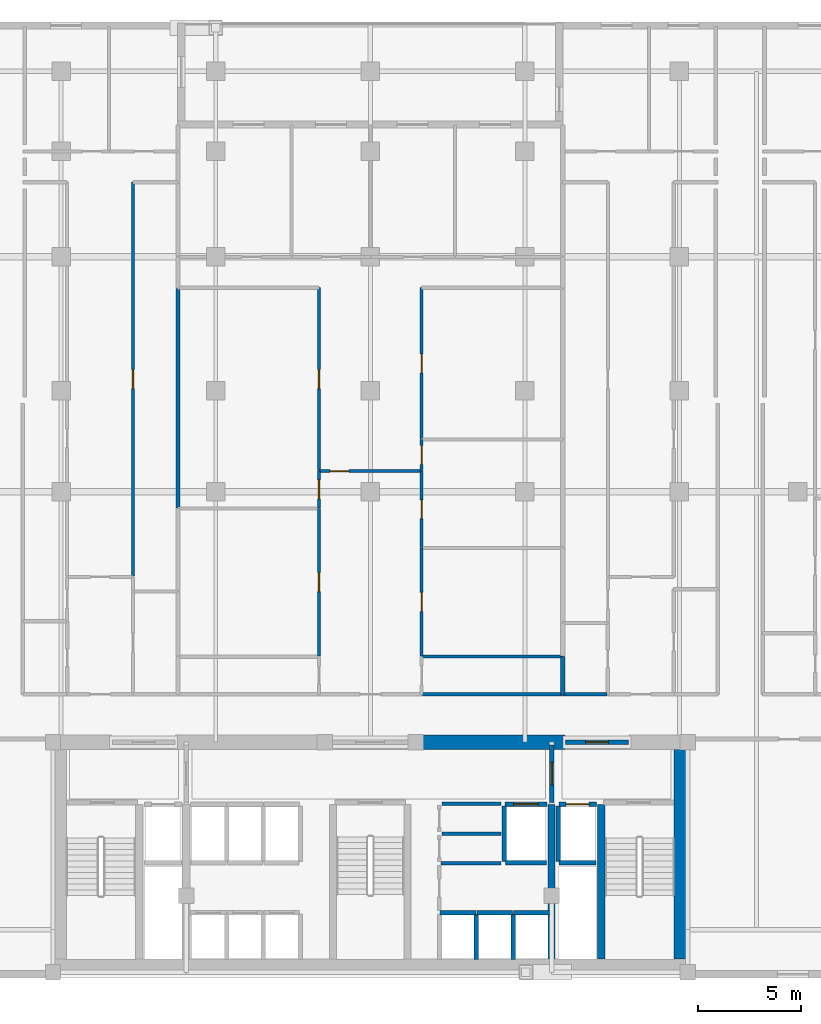
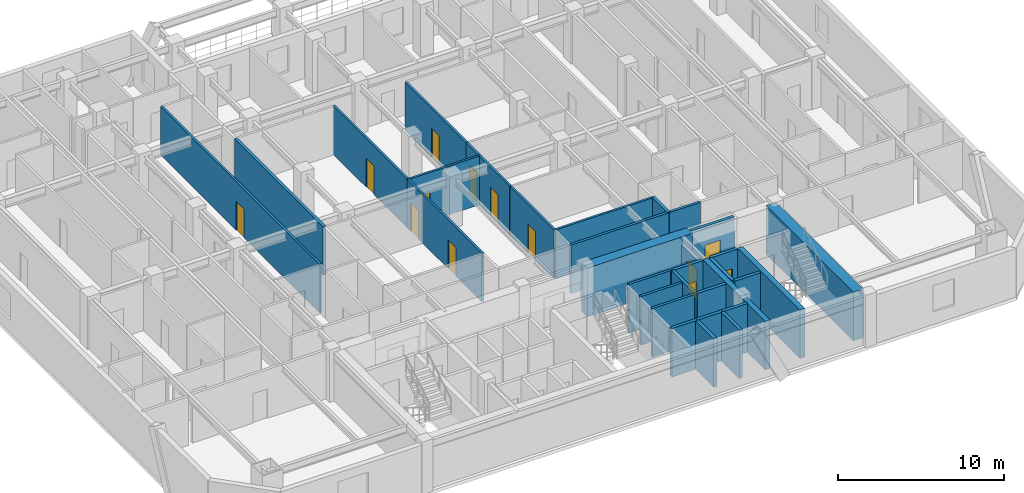
# One storey, part 5 of 10: 34 walls, 13 doors, 13 openings.
"""IFC4 building model written with IfcOpenShell, lengths in metres."""

from ifc_helpers import new_model, si_unit, direction, frame, frame_2d, origin, place, context, subcontext, project, spatial, rectangle, extrude, material, layer, layer_set, type_object, element, fill, save


model = new_model("IFC4")

# Units and contexts
model_context = context("Model", 3, precision=1e-05, world=origin(), true_north=direction((0.0, 1.0)))
body_context = subcontext(model_context, "Body", "Model", "MODEL_VIEW")
ifc_project = project(units=[si_unit("LENGTHUNIT", "METRE"), si_unit("AREAUNIT", "SQUARE_METRE"), si_unit("VOLUMEUNIT", "CUBIC_METRE"), si_unit("PLANEANGLEUNIT", "RADIAN"), si_unit("MASSUNIT", "GRAM", prefix="KILO")], contexts=[model_context])

# Site, building, storey
site_placement = place(None, origin())
site = spatial("IfcSite", under=ifc_project, at=site_placement, CompositionType="ELEMENT")
building_placement = place(site_placement, origin())
building = spatial("IfcBuilding", under=site, at=building_placement, Name="Ventersveld Concourse Tower", CompositionType="ELEMENT")
storey_placement = place(building_placement, frame((0.0, 0.0, 72.14990234375)))
storey = spatial("IfcBuildingStorey", under=building, at=storey_placement, Name="L17", CompositionType="ELEMENT", Elevation=72.14990234375)

# Walls
ifc_material_1 = material(Name="Concrete C60/75", Category="concrete")
ifc_layer_1 = layer(ifc_material_1, 0.35009765625)
ifc_layer_set_1 = layer_set([ifc_layer_1], Name="Concrete C60/75")
wall_type_1 = type_object("IfcWallType", Name="WL-CORE-350L", PredefinedType="SHEAR", material=ifc_layer_set_1)
for number, where, z_axis, x_axis, name in (
    (1, (37.550048828125, 0.919921875, 0.0), (0.0, 0.0, 1.0), (0.0, 1.0, 0.0), "L17 Core Internal Shear Web W-SVL-W"),
    (2, (39.9599609375, 0.919921875, 0.0), (0.0, 0.0, 1.0), (0.0, 1.0, 0.0), "L17 Core Internal Shear Web W-ST2-W"),
):
    element("IfcWall", number, at=place(storey_placement, frame(where, z_axis=z_axis, x_axis=x_axis)), inside=storey, type_object=wall_type_1, Name=name, PredefinedType="SHEAR", context=body_context, shape_type="SweptSolid", body=[
        extrude(rectangle(XDim=7.5, YDim=0.35009765625, at=frame_2d((3.75, 0.0))), origin(), (0.0, 0.0, 1.0), 3.570068359375),
    ])
ifc_layer_2 = layer(ifc_material_1, 0.699951171875)
ifc_layer_set_2 = layer_set([ifc_layer_2], Name="Concrete C60/75")
wall_type_2 = type_object("IfcWallType", Name="WL-CORE-700", PredefinedType="SHEAR", material=ifc_layer_set_2)
wall_1_placement = place(storey_placement, frame((43.85009765625, 0.919921875, 0.0), z_axis=(0.0, 0.0, 1.0), x_axis=(0.0, 1.0, 0.0)))
element("IfcWall", 3, at=wall_1_placement, inside=storey, type_object=wall_type_2, Name="L17 Rear Core East Shear Wall", PredefinedType="SHEAR", context=body_context, shape_type="SweptSolid", body=[
    extrude(rectangle(XDim=10.530029296875, YDim=0.699951171875, at=frame_2d((5.26513671875, 0.0))), origin(), (0.0, 0.0, 1.0), 3.570068359375),
])
wall_2_placement = place(storey_placement, frame((30.89990234375, 11.449951171875, 0.0), z_axis=(0.0, 0.0, 1.0), x_axis=(1.0, 0.0, 0.0)))
element("IfcWall", 4, at=wall_2_placement, inside=storey, type_object=wall_type_2, Name="L17 Rear Core North Shear Wall NMR", PredefinedType="SHEAR", context=body_context, shape_type="SweptSolid", body=[
    extrude(rectangle(XDim=7.300048828125, YDim=0.699951171875, at=frame_2d((3.64990234375, 0.0))), origin(), (0.0, 0.0, 1.0), 3.570068359375),
])
ifc_material_2 = material(Name="Fire-rated autoclaved aerated masonry blockwork", Category="masonry")
ifc_layer_3 = layer(ifc_material_2, 0.179931640625)
ifc_layer_set_3 = layer_set([ifc_layer_3], Name="Fire-rated autoclaved aerated masonry blockwork")
wall_type_3 = type_object("IfcWallType", Name="WL-CORR-180", PredefinedType="PARTITIONING", material=ifc_layer_set_3)
wall_3_placement = place(storey_placement, frame((32.219970703125, 7.0, 0.0), z_axis=(0.0, 0.0, 1.0), x_axis=(1.0, 0.0, 0.0)))
element("IfcWall", 5, at=wall_3_placement, inside=storey, type_object=wall_type_3, Name="L17 Core Top Wall SP-L17-CBAY1S", PredefinedType="PARTITIONING", context=body_context, shape_type="SweptSolid", body=[
    extrude(rectangle(XDim=2.880126953125, YDim=0.179931640625, at=frame_2d((1.43994140625, 0.0))), origin(), (0.0, 0.0, 1.0), 3.570068359375),
])
wall_4_placement = place(storey_placement, frame((32.179931640625, 5.570068359375, 0.0), z_axis=(0.0, 0.0, 1.0), x_axis=(1.0, 0.0, 0.0)))
element("IfcWall", 6, at=wall_4_placement, inside=storey, type_object=wall_type_3, Name="L17 Core Bot Wall SP-L17-CBAY1S", PredefinedType="PARTITIONING", context=body_context, shape_type="SweptSolid", body=[
    extrude(rectangle(XDim=2.920166015625, YDim=0.179931640625, at=frame_2d((1.4599609375, 0.0))), origin(), (0.0, 0.0, 1.0), 3.570068359375),
])
wall_5_placement = place(storey_placement, frame((32.219970703125, 8.4599609375, 0.0), z_axis=(0.0, 0.0, 1.0), x_axis=(1.0, 0.0, 0.0)))
element("IfcWall", 7, at=wall_5_placement, inside=storey, type_object=wall_type_3, Name="L17 Core Top Wall SP-L17-CBAY1N", PredefinedType="PARTITIONING", context=body_context, shape_type="SweptSolid", body=[
    extrude(rectangle(XDim=2.880126953125, YDim=0.179931640625, at=frame_2d((1.43994140625, 0.0))), origin(), (0.0, 0.0, 1.0), 3.570068359375),
])
wall_6_placement = place(storey_placement, frame((38.0849609375, 13.77001953125, 0.0), z_axis=(0.0, 0.0, 1.0), x_axis=(1.0, 0.0, 0.0)))
element("IfcWall", 8, at=wall_6_placement, inside=storey, type_object=wall_type_3, Name="L17 Interior Partition SP-L17-COR-SP-L17-17CE-BATH", PredefinedType="PARTITIONING", context=body_context, shape_type="SweptSolid", body=[
    extrude(rectangle(XDim=2.162353515625, YDim=0.179931640625, at=frame_2d((1.0810546875, 0.0))), origin(), (0.0, 0.0, 1.0), 3.570068359375),
])
wall_7_placement = place(storey_placement, frame((31.27490234375, 13.77001953125, 0.0), z_axis=(0.0, 0.0, 1.0), x_axis=(1.0, 0.0, 0.0)))
element("IfcWall", 9, at=wall_7_placement, inside=storey, type_object=wall_type_3, Name="L17 Interior Partition SP-L17-COR-SP-L17-17CM-KIT", PredefinedType="PARTITIONING", context=body_context, shape_type="SweptSolid", body=[
    extrude(rectangle(XDim=6.780029296875, YDim=0.179931640625, at=frame_2d((3.39013671875, 0.0))), origin(), (0.0, 0.0, 1.0), 3.570068359375),
])
ifc_layer_4 = layer(ifc_material_2, 0.199951171875)
ifc_layer_set_4 = layer_set([ifc_layer_4], Name="Fire-rated autoclaved aerated masonry blockwork")
wall_type_4 = type_object("IfcWallType", Name="WL-DEMISE-200", PredefinedType="PARTITIONING", material=ifc_layer_set_4)
wall_8_placement = place(storey_placement, frame((19.409912109375, 22.81689453125, 0.0), z_axis=(0.0, 0.0, 1.0), x_axis=(0.0, 1.0, 0.0)))
element("IfcWall", 10, at=wall_8_placement, inside=storey, type_object=wall_type_4, Name="L17 Interior Partition SP-L17-17CW-DENR-SP-L17-17CM-DENL2", PredefinedType="PARTITIONING", context=body_context, shape_type="SweptSolid", body=[
    extrude(rectangle(XDim=10.648193359375, YDim=0.199951171875, at=frame_2d((5.32421875, 0.0))), origin(), (0.0, 0.0, 1.0), 3.570068359375),
])
wall_9_placement = place(storey_placement, frame((38.090087890625, 13.764892578125, 0.0), z_axis=(0.0, 0.0, 1.0), x_axis=(0.0, 1.0, 0.0)))
element("IfcWall", 11, at=wall_9_placement, inside=storey, type_object=wall_type_4, Name="L17 Interior Partition SP-L17-17CE-BATH-SP-L17-17CM-KIT", PredefinedType="PARTITIONING", context=body_context, shape_type="SweptSolid", body=[
    extrude(rectangle(XDim=1.840087890625, YDim=0.199951171875, at=frame_2d((0.919921875, 0.0))), origin(), (0.0, 0.0, 1.0), 3.570068359375),
])
ifc_layer_5 = layer(ifc_material_2, 0.219970703125)
ifc_layer_set_5 = layer_set([ifc_layer_5], Name="Fire-rated autoclaved aerated masonry blockwork")
wall_type_5 = type_object("IfcWallType", Name="WL-HOIST-220", PredefinedType="SOLIDWALL", material=ifc_layer_set_5)
wall_10_placement = place(storey_placement, frame((37.919921875, 5.590087890625, 0.0), z_axis=(0.0, 0.0, 1.0), x_axis=(1.0, 0.0, 0.0)))
element("IfcWall", 12, at=wall_10_placement, inside=storey, type_object=wall_type_5, Name="L17 Lift Hoistway Back Wall FFL-02", PredefinedType="SOLIDWALL", context=body_context, shape_type="SweptSolid", body=[
    extrude(rectangle(XDim=1.780029296875, YDim=0.219970703125, at=frame_2d((0.89013671875, 0.0))), origin(), (0.0, 0.0, 1.0), 3.570068359375),
])
wall_11_placement = place(storey_placement, frame((37.8798828125, 5.64990234375, 0.0), z_axis=(0.0, 0.0, 1.0), x_axis=(0.0, 1.0, 0.0)))
element("IfcWall", 13, at=wall_11_placement, inside=storey, type_object=wall_type_5, Name="L17 Lift Hoistway Side Wall FFL-02W", PredefinedType="SOLIDWALL", context=body_context, shape_type="SweptSolid", body=[
    extrude(rectangle(XDim=2.7001953125, YDim=0.219970703125, at=frame_2d((1.35009765625, 0.0))), origin(), (0.0, 0.0, 1.0), 3.570068359375),
])

# Wall, opening, door
wall_12_placement = place(storey_placement, frame((37.89990234375, 8.429931640625, 0.0), z_axis=(0.0, 0.0, 1.0), x_axis=(1.0, 0.0, 0.0)))
wall_12 = element("IfcWall", 14, at=wall_12_placement, inside=storey, type_object=wall_type_5, Name="L17 Lift Hoistway Front Wall FFL-02", PredefinedType="SOLIDWALL", context=body_context, shape_type="SweptSolid", body=[
    extrude(rectangle(XDim=1.820068359375, YDim=0.219970703125, at=frame_2d((0.91015625, 0.0))), origin(), (0.0, 0.0, 1.0), 3.570068359375),
])
opening_1_placement = place(wall_12_placement, frame((0.35009765625, 0.0, 0.0)))
opening_1 = element("IfcOpeningElement", 15, at=opening_1_placement, cuts=wall_12, Name="Opening LD1", PredefinedType="OPENING", context=body_context, shape_type="SweptSolid", body=[
    extrude(rectangle(XDim=1.1201171875, YDim=2.25, at=frame_2d((0.56005859375, 1.125))), frame((0.0, 0.1201171875, 0.0), z_axis=(0.0, -1.0, 0.0), x_axis=(1.0, 0.0, 0.0)), (0.0, 0.0, 1.0), 0.239990234375),
])
ifc_material_3 = material(Name="Brushed stainless steel 316", Category="steel")
door_type_1 = type_object("IfcDoorType", Name="LD-FF-112", OperationType="SLIDING_TO_LEFT", PredefinedType="DOOR", material=ifc_material_3)
door_1_placement = place(opening_1_placement, origin())
door_1 = element("IfcDoor", 16, at=door_1_placement, inside=storey, type_object=door_type_1, Name="L17 Lift landing door FFL-02 (LD-L17-FFL-02)", OperationType="SLIDING_TO_RIGHT", OverallHeight=2.25, OverallWidth=1.1201171875, PredefinedType="DOOR", context=body_context, shape_type="SweptSolid", body=[
    extrude(rectangle(XDim=1.1201171875, YDim=2.25, at=frame_2d((0.56005859375, 1.125))), frame((0.0, 0.02490234375, 0.0), z_axis=(0.0, -1.0, 0.0), x_axis=(1.0, 0.0, 0.0)), (0.0, 0.0, 1.0), 0.050048828125),
])
fill(opening_1, door_1)

# Walls
wall_13_placement = place(storey_placement, frame((35.300048828125, 5.590087890625, 0.0), z_axis=(0.0, 0.0, 1.0), x_axis=(1.0, 0.0, 0.0)))
element("IfcWall", 17, at=wall_13_placement, inside=storey, type_object=wall_type_5, Name="L17 Lift Hoistway Back Wall SVL-01", PredefinedType="SOLIDWALL", context=body_context, shape_type="SweptSolid", body=[
    extrude(rectangle(XDim=2.0, YDim=0.219970703125, at=frame_2d((1.0, 0.0))), origin(), (0.0, 0.0, 1.0), 3.570068359375),
])
wall_14_placement = place(storey_placement, frame((35.260009765625, 5.64990234375, 0.0), z_axis=(0.0, 0.0, 1.0), x_axis=(0.0, 1.0, 0.0)))
element("IfcWall", 18, at=wall_14_placement, inside=storey, type_object=wall_type_5, Name="L17 Lift Hoistway Side Wall SVL-01W", PredefinedType="SOLIDWALL", context=body_context, shape_type="SweptSolid", body=[
    extrude(rectangle(XDim=2.7001953125, YDim=0.219970703125, at=frame_2d((1.35009765625, 0.0))), origin(), (0.0, 0.0, 1.0), 3.570068359375),
])

# Wall, opening, door
wall_15_placement = place(storey_placement, frame((35.280029296875, 8.429931640625, 0.0), z_axis=(0.0, 0.0, 1.0), x_axis=(1.0, 0.0, 0.0)))
wall_15 = element("IfcWall", 19, at=wall_15_placement, inside=storey, type_object=wall_type_5, Name="L17 Lift Hoistway Front Wall SVL-01", PredefinedType="SOLIDWALL", context=body_context, shape_type="SweptSolid", body=[
    extrude(rectangle(XDim=2.0400390625, YDim=0.219970703125, at=frame_2d((1.02001953125, 0.0))), origin(), (0.0, 0.0, 1.0), 3.570068359375),
])
opening_2_placement = place(wall_15_placement, frame((0.429931640625, 0.0, 0.0)))
opening_2 = element("IfcOpeningElement", 20, at=opening_2_placement, cuts=wall_15, Name="Opening LD2", PredefinedType="OPENING", context=body_context, shape_type="SweptSolid", body=[
    extrude(rectangle(XDim=1.179931640625, YDim=2.199951171875, at=frame_2d((0.58984375, 1.10009765625))), frame((0.0, 0.1201171875, 0.0), z_axis=(0.0, -1.0, 0.0), x_axis=(1.0, 0.0, 0.0)), (0.0, 0.0, 1.0), 0.239990234375),
])
door_type_2 = type_object("IfcDoorType", Name="LD-PAX-118", OperationType="SLIDING_TO_LEFT", PredefinedType="DOOR", material=ifc_material_3)
door_2_placement = place(opening_2_placement, origin())
door_2 = element("IfcDoor", 21, at=door_2_placement, inside=storey, type_object=door_type_2, Name="L17 Lift landing door SVL-01 (LD-L17-SVL-01)", OperationType="SLIDING_TO_LEFT", OverallHeight=2.199951171875, OverallWidth=1.179931640625, PredefinedType="DOOR", context=body_context, shape_type="SweptSolid", body=[
    extrude(rectangle(XDim=1.179931640625, YDim=2.199951171875, at=frame_2d((0.58984375, 1.10009765625))), frame((0.0, 0.02490234375, 0.0), z_axis=(0.0, -1.0, 0.0), x_axis=(1.0, 0.0, 0.0)), (0.0, 0.0, 1.0), 0.050048828125),
])
fill(opening_2, door_2)

# Walls
wall_16_placement = place(storey_placement, frame((33.89990234375, 0.89990234375, 0.0), z_axis=(0.0, 0.0, 1.0), x_axis=(0.0, 1.0, 0.0)))
element("IfcWall", 22, at=wall_16_placement, inside=storey, type_object=wall_type_5, Name="L17 Lift Hoistway Side Wall PM-01E", PredefinedType="SOLIDWALL", context=body_context, shape_type="SweptSolid", body=[
    extrude(rectangle(XDim=2.2001953125, YDim=0.219970703125, at=frame_2d((1.10009765625, 0.0))), origin(), (0.0, 0.0, 1.0), 3.570068359375),
])
wall_17_placement = place(storey_placement, frame((32.139892578125, 3.179931640625, 0.0), z_axis=(0.0, 0.0, 1.0), x_axis=(1.0, 0.0, 0.0)))
element("IfcWall", 23, at=wall_17_placement, inside=storey, type_object=wall_type_5, Name="L17 Lift Hoistway Front Wall PM-01", PredefinedType="SOLIDWALL", context=body_context, shape_type="SweptSolid", body=[
    extrude(rectangle(XDim=1.739990234375, YDim=0.219970703125, at=frame_2d((0.8701171875, 0.0))), origin(), (0.0, 0.0, 1.0), 3.570068359375),
])
wall_18_placement = place(storey_placement, frame((35.679931640625, 0.89990234375, 0.0), z_axis=(0.0, 0.0, 1.0), x_axis=(0.0, 1.0, 0.0)))
element("IfcWall", 24, at=wall_18_placement, inside=storey, type_object=wall_type_5, Name="L17 Lift Hoistway Side Wall PM-02E", PredefinedType="SOLIDWALL", context=body_context, shape_type="SweptSolid", body=[
    extrude(rectangle(XDim=2.2001953125, YDim=0.219970703125, at=frame_2d((1.10009765625, 0.0))), origin(), (0.0, 0.0, 1.0), 3.570068359375),
])
for number, where, z_axis, x_axis, name in (
    (25, (33.919921875, 3.179931640625, 0.0), (0.0, 0.0, 1.0), (1.0, 0.0, 0.0), "L17 Lift Hoistway Front Wall PM-02"),
    (26, (35.699951171875, 3.179931640625, 0.0), (0.0, 0.0, 1.0), (1.0, 0.0, 0.0), "L17 Lift Hoistway Front Wall PM-03"),
):
    element("IfcWall", number, at=place(storey_placement, frame(where, z_axis=z_axis, x_axis=x_axis)), inside=storey, type_object=wall_type_5, Name=name, PredefinedType="SOLIDWALL", context=body_context, shape_type="SweptSolid", body=[
        extrude(rectangle(XDim=1.739990234375, YDim=0.219970703125, at=frame_2d((0.8701171875, 0.0))), origin(), (0.0, 0.0, 1.0), 3.570068359375),
    ])

# Wall, opening, door
wall_19_placement = place(storey_placement, frame((37.550048828125, 8.52001953125, 0.0), z_axis=(0.0, 0.0, 1.0), x_axis=(0.0, 1.0, 0.0)))
wall_19 = element("IfcWall", 27, at=wall_19_placement, inside=storey, type_object=wall_type_5, Name="L17 Firefighting Lobby Smoke-Stop Wall FFLE-SEP", PredefinedType="SOLIDWALL", context=body_context, shape_type="SweptSolid", body=[
    extrude(rectangle(XDim=2.800048828125, YDim=0.219970703125, at=frame_2d((1.39990234375, 0.0))), origin(), (0.0, 0.0, 1.0), 3.025634765625),
])
opening_3_placement = place(wall_19_placement, frame((0.85009765625, 0.0, 0.0)))
opening_3 = element("IfcOpeningElement", 28, at=opening_3_placement, cuts=wall_19, Name="Opening FD2", PredefinedType="OPENING", context=body_context, shape_type="SweptSolid", body=[
    extrude(rectangle(XDim=1.10009765625, YDim=2.199951171875, at=frame_2d((0.550048828125, 1.10009765625))), frame((0.0, 0.1201171875, 0.0), z_axis=(0.0, -1.0, 0.0), x_axis=(1.0, 0.0, 0.0)), (0.0, 0.0, 1.0), 0.239990234375),
])
ifc_material_4 = material(Name="Galvanised painted steel", Category="steel")
door_type_3 = type_object("IfcDoorType", Name="DR-FFL-110", OperationType="NOTDEFINED", PredefinedType="DOOR", material=ifc_material_4)
door_3_placement = place(opening_3_placement, origin())
door_3 = element("IfcDoor", 29, at=door_3_placement, inside=storey, type_object=door_type_3, Name="L17 Firefighting Lobby Door FFLE-SEP (FD-L17-0771)", OperationType="SINGLE_SWING_RIGHT", OverallHeight=2.199951171875, OverallWidth=1.10009765625, PredefinedType="DOOR", context=body_context, shape_type="SweptSolid", body=[
    extrude(rectangle(XDim=1.10009765625, YDim=2.199951171875, at=frame_2d((0.550048828125, 1.10009765625))), frame((0.0, 0.02490234375, 0.0), z_axis=(0.0, -1.0, 0.0), x_axis=(1.0, 0.0, 0.0)), (0.0, 0.0, 1.0), 0.050048828125),
])
fill(opening_3, door_3)

wall_20_placement = place(storey_placement, frame((38.22998046875, 11.449951171875, 0.0), z_axis=(0.0, 0.0, 1.0), x_axis=(1.0, 0.0, 0.0)))
wall_20 = element("IfcWall", 30, at=wall_20_placement, inside=storey, type_object=wall_type_5, Name="L17 Core North Fire Portal FFLE-OUT", PredefinedType="SOLIDWALL", context=body_context, shape_type="SweptSolid", body=[
    extrude(rectangle(XDim=3.0400390625, YDim=0.219970703125, at=frame_2d((1.52001953125, 0.0))), origin(), (0.0, 0.0, 1.0), 3.570068359375),
])
opening_4_placement = place(wall_20_placement, frame((0.969970703125, 0.0, 0.0)))
opening_4 = element("IfcOpeningElement", 31, at=opening_4_placement, cuts=wall_20, Name="Opening FD2", PredefinedType="OPENING", context=body_context, shape_type="SweptSolid", body=[
    extrude(rectangle(XDim=1.10009765625, YDim=2.199951171875, at=frame_2d((0.550048828125, 1.10009765625))), frame((0.0, 0.1201171875, 0.0), z_axis=(0.0, -1.0, 0.0), x_axis=(1.0, 0.0, 0.0)), (0.0, 0.0, 1.0), 0.239990234375),
])
door_4_placement = place(opening_4_placement, origin())
door_4 = element("IfcDoor", 32, at=door_4_placement, inside=storey, type_object=door_type_3, Name="L17 Core Lobby Fire Door FFLE-OUT (FD-L17-0774)", OperationType="SINGLE_SWING_LEFT", OverallHeight=2.199951171875, OverallWidth=1.10009765625, PredefinedType="DOOR", context=body_context, shape_type="SweptSolid", body=[
    extrude(rectangle(XDim=1.10009765625, YDim=2.199951171875, at=frame_2d((0.550048828125, 1.10009765625))), frame((0.0, 0.02490234375, 0.0), z_axis=(0.0, -1.0, 0.0), x_axis=(1.0, 0.0, 0.0)), (0.0, 0.0, 1.0), 0.050048828125),
])
fill(opening_4, door_4)

ifc_material_5 = material(Name="Autoclaved aerated masonry blockwork", Category="masonry")
ifc_layer_6 = layer(ifc_material_5, 0.14990234375)
ifc_layer_set_6 = layer_set([ifc_layer_6], Name="Autoclaved aerated masonry blockwork")
wall_type_6 = type_object("IfcWallType", Name="WL-INT-150", PredefinedType="PARTITIONING", material=ifc_layer_set_6)
wall_21_placement = place(storey_placement, frame((17.23291015625, 19.503662109375, 0.0), z_axis=(0.0, 0.0, 1.0), x_axis=(0.0, 1.0, 0.0)))
wall_21 = element("IfcWall", 33, at=wall_21_placement, inside=storey, type_object=wall_type_6, Name="L17 Interior Partition SP-L17-17CW-LIV-SP-L17-17CW-DENR", PredefinedType="PARTITIONING", context=body_context, shape_type="SweptSolid", body=[
    extrude(rectangle(XDim=19.121337890625, YDim=0.14990234375, at=frame_2d((9.560546875, 0.0))), origin(), (0.0, 0.0, 1.0), 3.570068359375),
])
opening_5_placement = place(wall_21_placement, frame((9.1005859375, 0.0, 0.0)))
opening_5 = element("IfcOpeningElement", 34, at=opening_5_placement, cuts=wall_21, Name="Opening ID1", PredefinedType="OPENING", context=body_context, shape_type="SweptSolid", body=[
    extrude(rectangle(XDim=0.919921875, YDim=2.10009765625, at=frame_2d((0.4599609375, 1.050048828125))), frame((0.0, 0.0849609375, 0.0), z_axis=(0.0, -1.0, 0.0), x_axis=(1.0, 0.0, 0.0)), (0.0, 0.0, 1.0), 0.169921875),
])
ifc_material_6 = material(Name="Solid-core hardwood veneer timber", Category="wood")
door_type_4 = type_object("IfcDoorType", Name="DR-ROOM-092", OperationType="NOTDEFINED", PredefinedType="DOOR", material=ifc_material_6)
door_5_placement = place(opening_5_placement, origin())
door_5 = element("IfcDoor", 35, at=door_5_placement, inside=storey, type_object=door_type_4, Name="L17 Interior Door SP-L17-17CW-LIV to SP-L17-17CW-DENR (D-L17-0809)", OperationType="SINGLE_SWING_LEFT", OverallHeight=2.10009765625, OverallWidth=0.919921875, PredefinedType="DOOR", context=body_context, shape_type="SweptSolid", body=[
    extrude(rectangle(XDim=0.919921875, YDim=2.10009765625, at=frame_2d((0.4599609375, 1.050048828125))), frame((0.0, 0.02490234375, 0.0), z_axis=(0.0, -1.0, 0.0), x_axis=(1.0, 0.0, 0.0)), (0.0, 0.0, 1.0), 0.050048828125),
])
fill(opening_5, door_5)

wall_22_placement = place(storey_placement, frame((26.2548828125, 24.600830078125, 0.0), z_axis=(0.0, 0.0, 1.0), x_axis=(1.0, 0.0, 0.0)))
wall_22 = element("IfcWall", 36, at=wall_22_placement, inside=storey, type_object=wall_type_6, Name="L17 Interior Partition SP-L17-17CM-FOY-SP-L17-17CM-LIV", PredefinedType="PARTITIONING", context=body_context, shape_type="SweptSolid", body=[
    extrude(rectangle(XDim=4.990234375, YDim=0.14990234375, at=frame_2d((2.4951171875, 0.0))), origin(), (0.0, 0.0, 1.0), 3.570068359375),
])
opening_6_placement = place(wall_22_placement, frame((0.5380859375, 0.0, 0.0)))
opening_6 = element("IfcOpeningElement", 37, at=opening_6_placement, cuts=wall_22, Name="Opening ID1", PredefinedType="OPENING", context=body_context, shape_type="SweptSolid", body=[
    extrude(rectangle(XDim=0.919921875, YDim=2.10009765625, at=frame_2d((0.4599609375, 1.050048828125))), frame((0.0, 0.0849609375, 0.0), z_axis=(0.0, -1.0, 0.0), x_axis=(1.0, 0.0, 0.0)), (0.0, 0.0, 1.0), 0.169921875),
])
door_6_placement = place(opening_6_placement, origin())
door_6 = element("IfcDoor", 38, at=door_6_placement, inside=storey, type_object=door_type_4, Name="L17 Interior Door SP-L17-17CM-FOY to SP-L17-17CM-LIV (D-L17-0820)", OperationType="SINGLE_SWING_RIGHT", OverallHeight=2.10009765625, OverallWidth=0.919921875, PredefinedType="DOOR", context=body_context, shape_type="SweptSolid", body=[
    extrude(rectangle(XDim=0.919921875, YDim=2.10009765625, at=frame_2d((0.4599609375, 1.050048828125))), frame((0.0, 0.02490234375, 0.0), z_axis=(0.0, -1.0, 0.0), x_axis=(1.0, 0.0, 0.0)), (0.0, 0.0, 1.0), 0.050048828125),
])
fill(opening_6, door_6)

wall_23_placement = place(storey_placement, frame((26.260009765625, 15.635009765625, 0.0), z_axis=(0.0, 0.0, 1.0), x_axis=(0.0, 1.0, 0.0)))
wall_23 = element("IfcWall", 39, at=wall_23_placement, inside=storey, type_object=wall_type_6, Name="L17 Interior Partition SP-L17-17CM-FOY-SP-L17-17CM-DENL", PredefinedType="PARTITIONING", context=body_context, shape_type="SweptSolid", body=[
    extrude(rectangle(XDim=7.15185546875, YDim=0.14990234375, at=frame_2d((3.575927734375, 0.0))), origin(), (0.0, 0.0, 1.0), 3.570068359375),
])
opening_7_placement = place(wall_23_placement, frame((3.115966796875, 0.0, 0.0)))
opening_7 = element("IfcOpeningElement", 40, at=opening_7_placement, cuts=wall_23, Name="Opening ID1", PredefinedType="OPENING", context=body_context, shape_type="SweptSolid", body=[
    extrude(rectangle(XDim=0.919921875, YDim=2.10009765625, at=frame_2d((0.4599609375, 1.050048828125))), frame((0.0, 0.0849609375, 0.0), z_axis=(0.0, -1.0, 0.0), x_axis=(1.0, 0.0, 0.0)), (0.0, 0.0, 1.0), 0.169921875),
])
door_7_placement = place(opening_7_placement, origin())
door_7 = element("IfcDoor", 41, at=door_7_placement, inside=storey, type_object=door_type_4, Name="L17 Interior Door SP-L17-17CM-FOY to SP-L17-17CM-DENL (D-L17-0822)", OperationType="SINGLE_SWING_RIGHT", OverallHeight=2.10009765625, OverallWidth=0.919921875, PredefinedType="DOOR", context=body_context, shape_type="SweptSolid", body=[
    extrude(rectangle(XDim=0.919921875, YDim=2.10009765625, at=frame_2d((0.4599609375, 1.050048828125))), frame((0.0, 0.02490234375, 0.0), z_axis=(0.0, -1.0, 0.0), x_axis=(1.0, 0.0, 0.0)), (0.0, 0.0, 1.0), 0.050048828125),
])
fill(opening_7, door_7)

wall_24_placement = place(storey_placement, frame((26.260009765625, 22.81689453125, 0.0), z_axis=(0.0, 0.0, 1.0), x_axis=(0.0, 1.0, 0.0)))
wall_24 = element("IfcWall", 42, at=wall_24_placement, inside=storey, type_object=wall_type_6, Name="L17 Interior Partition SP-L17-17CM-FOY-SP-L17-17CM-DENL2", PredefinedType="PARTITIONING", context=body_context, shape_type="SweptSolid", body=[
    extrude(rectangle(XDim=1.788818359375, YDim=0.14990234375, at=frame_2d((0.89453125, 0.0))), origin(), (0.0, 0.0, 1.0), 3.570068359375),
])
opening_8_placement = place(wall_24_placement, frame((0.4345703125, 0.0, 0.0)))
opening_8 = element("IfcOpeningElement", 43, at=opening_8_placement, cuts=wall_24, Name="Opening ID1", PredefinedType="OPENING", context=body_context, shape_type="SweptSolid", body=[
    extrude(rectangle(XDim=0.919921875, YDim=2.10009765625, at=frame_2d((0.4599609375, 1.050048828125))), frame((0.0, 0.0849609375, 0.0), z_axis=(0.0, -1.0, 0.0), x_axis=(1.0, 0.0, 0.0)), (0.0, 0.0, 1.0), 0.169921875),
])
door_8_placement = place(opening_8_placement, origin())
door_8 = element("IfcDoor", 44, at=door_8_placement, inside=storey, type_object=door_type_4, Name="L17 Interior Door SP-L17-17CM-FOY to SP-L17-17CM-DENL2 (D-L17-0823)", OperationType="SINGLE_SWING_LEFT", OverallHeight=2.10009765625, OverallWidth=0.919921875, PredefinedType="DOOR", context=body_context, shape_type="SweptSolid", body=[
    extrude(rectangle(XDim=0.919921875, YDim=2.10009765625, at=frame_2d((0.4599609375, 1.050048828125))), frame((0.0, 0.02490234375, 0.0), z_axis=(0.0, -1.0, 0.0), x_axis=(1.0, 0.0, 0.0)), (0.0, 0.0, 1.0), 0.050048828125),
])
fill(opening_8, door_8)

wall_25_placement = place(storey_placement, frame((31.239990234375, 15.635009765625, 0.0), z_axis=(0.0, 0.0, 1.0), x_axis=(0.0, 1.0, 0.0)))
wall_25 = element("IfcWall", 45, at=wall_25_placement, inside=storey, type_object=wall_type_6, Name="L17 Interior Partition SP-L17-17CM-FOY-SP-L17-17CM-DENR", PredefinedType="PARTITIONING", context=body_context, shape_type="SweptSolid", body=[
    extrude(rectangle(XDim=5.233642578125, YDim=0.14990234375, at=frame_2d((2.61669921875, 0.0))), origin(), (0.0, 0.0, 1.0), 3.570068359375),
])
opening_9_placement = place(wall_25_placement, frame((2.156982421875, 0.0, 0.0)))
opening_9 = element("IfcOpeningElement", 46, at=opening_9_placement, cuts=wall_25, Name="Opening ID1", PredefinedType="OPENING", context=body_context, shape_type="SweptSolid", body=[
    extrude(rectangle(XDim=0.919921875, YDim=2.10009765625, at=frame_2d((0.4599609375, 1.050048828125))), frame((0.0, 0.0849609375, 0.0), z_axis=(0.0, -1.0, 0.0), x_axis=(1.0, 0.0, 0.0)), (0.0, 0.0, 1.0), 0.169921875),
])
door_9_placement = place(opening_9_placement, origin())
door_9 = element("IfcDoor", 47, at=door_9_placement, inside=storey, type_object=door_type_4, Name="L17 Interior Door SP-L17-17CM-FOY to SP-L17-17CM-DENR (D-L17-0825)", OperationType="SINGLE_SWING_LEFT", OverallHeight=2.10009765625, OverallWidth=0.919921875, PredefinedType="DOOR", context=body_context, shape_type="SweptSolid", body=[
    extrude(rectangle(XDim=0.919921875, YDim=2.10009765625, at=frame_2d((0.4599609375, 1.050048828125))), frame((0.0, 0.02490234375, 0.0), z_axis=(0.0, -1.0, 0.0), x_axis=(1.0, 0.0, 0.0)), (0.0, 0.0, 1.0), 0.050048828125),
])
fill(opening_9, door_9)

wall_26_placement = place(storey_placement, frame((31.239990234375, 20.898681640625, 0.0), z_axis=(0.0, 0.0, 1.0), x_axis=(0.0, 1.0, 0.0)))
wall_26 = element("IfcWall", 48, at=wall_26_placement, inside=storey, type_object=wall_type_6, Name="L17 Interior Partition SP-L17-17CM-FOY-SP-L17-17CM-DENS", PredefinedType="PARTITIONING", context=body_context, shape_type="SweptSolid", body=[
    extrude(rectangle(XDim=3.70703125, YDim=0.14990234375, at=frame_2d((1.853515625, 0.0))), origin(), (0.0, 0.0, 1.0), 3.570068359375),
])
opening_10_placement = place(wall_26_placement, frame((1.3935546875, 0.0, 0.0)))
opening_10 = element("IfcOpeningElement", 49, at=opening_10_placement, cuts=wall_26, Name="Opening ID1", PredefinedType="OPENING", context=body_context, shape_type="SweptSolid", body=[
    extrude(rectangle(XDim=0.919921875, YDim=2.10009765625, at=frame_2d((0.4599609375, 1.050048828125))), frame((0.0, 0.0849609375, 0.0), z_axis=(0.0, -1.0, 0.0), x_axis=(1.0, 0.0, 0.0)), (0.0, 0.0, 1.0), 0.169921875),
])
door_10_placement = place(opening_10_placement, origin())
door_10 = element("IfcDoor", 50, at=door_10_placement, inside=storey, type_object=door_type_4, Name="L17 Interior Door SP-L17-17CM-FOY to SP-L17-17CM-DENS (D-L17-0826)", OperationType="SINGLE_SWING_RIGHT", OverallHeight=2.10009765625, OverallWidth=0.919921875, PredefinedType="DOOR", context=body_context, shape_type="SweptSolid", body=[
    extrude(rectangle(XDim=0.919921875, YDim=2.10009765625, at=frame_2d((0.4599609375, 1.050048828125))), frame((0.0, 0.02490234375, 0.0), z_axis=(0.0, -1.0, 0.0), x_axis=(1.0, 0.0, 0.0)), (0.0, 0.0, 1.0), 0.050048828125),
])
fill(opening_10, door_10)

wall_27_placement = place(storey_placement, frame((26.260009765625, 24.6357421875, 0.0), z_axis=(0.0, 0.0, 1.0), x_axis=(0.0, 1.0, 0.0)))
wall_27 = element("IfcWall", 51, at=wall_27_placement, inside=storey, type_object=wall_type_6, Name="L17 Interior Partition SP-L17-17CM-LIV-SP-L17-17CM-DENL2", PredefinedType="PARTITIONING", context=body_context, shape_type="SweptSolid", body=[
    extrude(rectangle(XDim=8.869140625, YDim=0.14990234375, at=frame_2d((4.4345703125, 0.0))), origin(), (0.0, 0.0, 1.0), 3.570068359375),
])
opening_11_placement = place(wall_27_placement, frame((3.974609375, 0.0, 0.0)))
opening_11 = element("IfcOpeningElement", 52, at=opening_11_placement, cuts=wall_27, Name="Opening ID1", PredefinedType="OPENING", context=body_context, shape_type="SweptSolid", body=[
    extrude(rectangle(XDim=0.919921875, YDim=2.10009765625, at=frame_2d((0.4599609375, 1.050048828125))), frame((0.0, 0.0849609375, 0.0), z_axis=(0.0, -1.0, 0.0), x_axis=(1.0, 0.0, 0.0)), (0.0, 0.0, 1.0), 0.169921875),
])
door_11_placement = place(opening_11_placement, origin())
door_11 = element("IfcDoor", 53, at=door_11_placement, inside=storey, type_object=door_type_4, Name="L17 Interior Door SP-L17-17CM-LIV to SP-L17-17CM-DENL2 (D-L17-0827)", OperationType="SINGLE_SWING_LEFT", OverallHeight=2.10009765625, OverallWidth=0.919921875, PredefinedType="DOOR", context=body_context, shape_type="SweptSolid", body=[
    extrude(rectangle(XDim=0.919921875, YDim=2.10009765625, at=frame_2d((0.4599609375, 1.050048828125))), frame((0.0, 0.02490234375, 0.0), z_axis=(0.0, -1.0, 0.0), x_axis=(1.0, 0.0, 0.0)), (0.0, 0.0, 1.0), 0.050048828125),
])
fill(opening_11, door_11)

wall_28_placement = place(storey_placement, frame((31.239990234375, 24.6357421875, 0.0), z_axis=(0.0, 0.0, 1.0), x_axis=(0.0, 1.0, 0.0)))
wall_28 = element("IfcWall", 54, at=wall_28_placement, inside=storey, type_object=wall_type_6, Name="L17 Interior Partition SP-L17-17CM-LIV-SP-L17-17CM-DENS", PredefinedType="PARTITIONING", context=body_context, shape_type="SweptSolid", body=[
    extrude(rectangle(XDim=1.49658203125, YDim=0.14990234375, at=frame_2d((0.748291015625, 0.0))), origin(), (0.0, 0.0, 1.0), 3.570068359375),
])
opening_12_placement = place(wall_28_placement, frame((0.288330078125, 0.0, 0.0)))
opening_12 = element("IfcOpeningElement", 55, at=opening_12_placement, cuts=wall_28, Name="Opening ID1", PredefinedType="OPENING", context=body_context, shape_type="SweptSolid", body=[
    extrude(rectangle(XDim=0.919921875, YDim=2.10009765625, at=frame_2d((0.4599609375, 1.050048828125))), frame((0.0, 0.0849609375, 0.0), z_axis=(0.0, -1.0, 0.0), x_axis=(1.0, 0.0, 0.0)), (0.0, 0.0, 1.0), 0.169921875),
])
door_12_placement = place(opening_12_placement, origin())
door_12 = element("IfcDoor", 56, at=door_12_placement, inside=storey, type_object=door_type_4, Name="L17 Interior Door SP-L17-17CM-LIV to SP-L17-17CM-DENS (D-L17-0828)", OperationType="SINGLE_SWING_RIGHT", OverallHeight=2.10009765625, OverallWidth=0.919921875, PredefinedType="DOOR", context=body_context, shape_type="SweptSolid", body=[
    extrude(rectangle(XDim=0.919921875, YDim=2.10009765625, at=frame_2d((0.4599609375, 1.050048828125))), frame((0.0, 0.02490234375, 0.0), z_axis=(0.0, -1.0, 0.0), x_axis=(1.0, 0.0, 0.0)), (0.0, 0.0, 1.0), 0.050048828125),
])
fill(opening_12, door_12)

wall_29_placement = place(storey_placement, frame((31.239990234375, 26.162353515625, 0.0), z_axis=(0.0, 0.0, 1.0), x_axis=(0.0, 1.0, 0.0)))
wall_29 = element("IfcWall", 57, at=wall_29_placement, inside=storey, type_object=wall_type_6, Name="L17 Interior Partition SP-L17-17CM-LIV-SP-L17-17CM-DENS2", PredefinedType="PARTITIONING", context=body_context, shape_type="SweptSolid", body=[
    extrude(rectangle(XDim=7.342529296875, YDim=0.14990234375, at=frame_2d((3.67138671875, 0.0))), origin(), (0.0, 0.0, 1.0), 3.570068359375),
])
opening_13_placement = place(wall_29_placement, frame((3.211181640625, 0.0, 0.0)))
opening_13 = element("IfcOpeningElement", 58, at=opening_13_placement, cuts=wall_29, Name="Opening ID1", PredefinedType="OPENING", context=body_context, shape_type="SweptSolid", body=[
    extrude(rectangle(XDim=0.919921875, YDim=2.10009765625, at=frame_2d((0.4599609375, 1.050048828125))), frame((0.0, 0.0849609375, 0.0), z_axis=(0.0, -1.0, 0.0), x_axis=(1.0, 0.0, 0.0)), (0.0, 0.0, 1.0), 0.169921875),
])
door_13_placement = place(opening_13_placement, origin())
door_13 = element("IfcDoor", 59, at=door_13_placement, inside=storey, type_object=door_type_4, Name="L17 Interior Door SP-L17-17CM-LIV to SP-L17-17CM-DENS2 (D-L17-0829)", OperationType="SINGLE_SWING_LEFT", OverallHeight=2.10009765625, OverallWidth=0.919921875, PredefinedType="DOOR", context=body_context, shape_type="SweptSolid", body=[
    extrude(rectangle(XDim=0.919921875, YDim=2.10009765625, at=frame_2d((0.4599609375, 1.050048828125))), frame((0.0, 0.02490234375, 0.0), z_axis=(0.0, -1.0, 0.0), x_axis=(1.0, 0.0, 0.0)), (0.0, 0.0, 1.0), 0.050048828125),
])
fill(opening_13, door_13)

# Wall
wall_30_placement = place(storey_placement, frame((31.235107421875, 15.60009765625, 0.0), z_axis=(0.0, 0.0, 1.0), x_axis=(1.0, 0.0, 0.0)))
element("IfcWall", 60, at=wall_30_placement, inside=storey, type_object=wall_type_6, Name="L17 Interior Partition SP-L17-17CM-KIT-SP-L17-17CM-DENR", PredefinedType="PARTITIONING", context=body_context, shape_type="SweptSolid", body=[
    extrude(rectangle(XDim=6.85986328125, YDim=0.14990234375, at=frame_2d((3.429931640625, 0.0))), origin(), (0.0, 0.0, 1.0), 3.570068359375),
])

save(model, "model.ifc")
